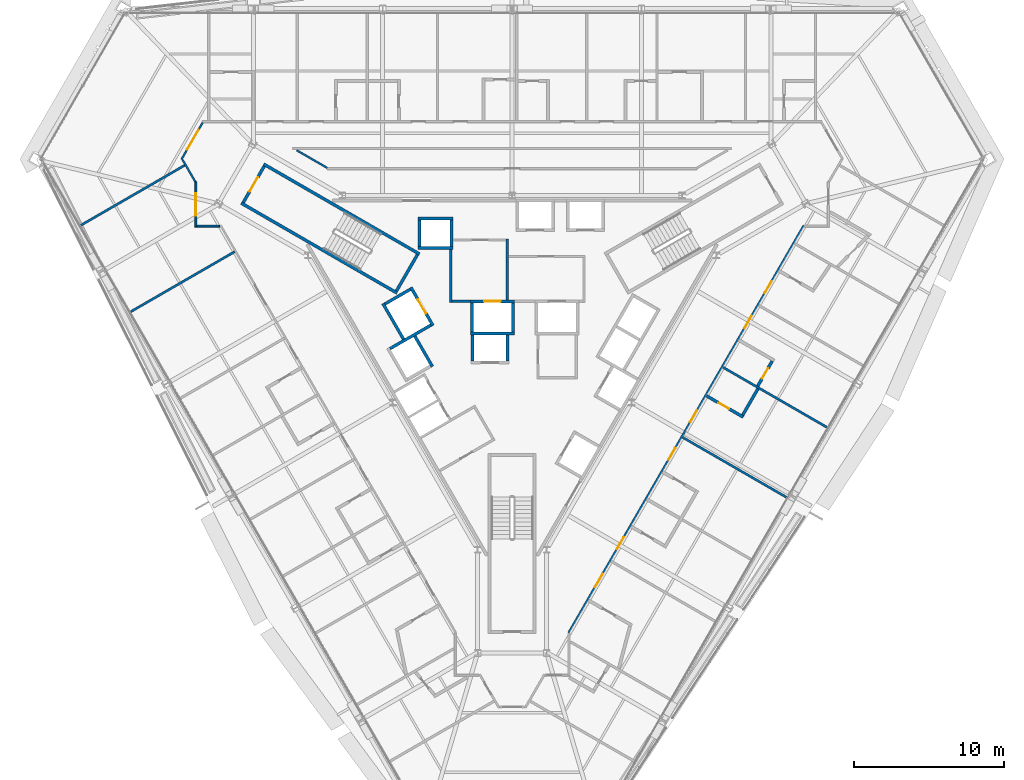
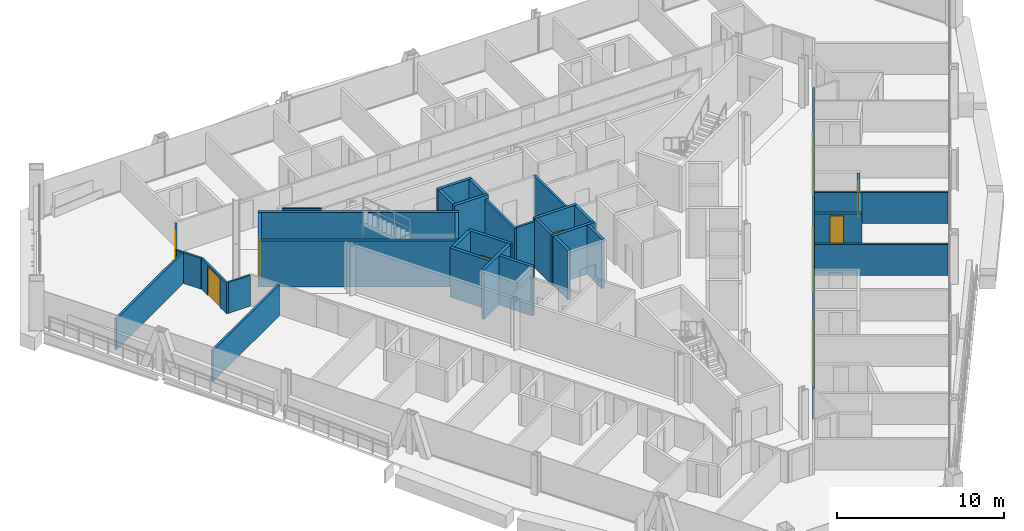
# One storey, part 13 of 18: 35 walls, 13 doors, 13 openings.
"""IFC4 building model written with IfcOpenShell, lengths in metres."""

import ifcopenshell
import ifcopenshell.guid

model = None  # the IFC model being written
_history = None  # IfcOwnerHistory: only IFC2X3 demands one
_inside = {}  # id of a spatial element -> (the spatial element, [elements in it])
_under = {}  # id of a project, library or spatial element -> (it, [spatial elements below it])
_declared = {}  # id of a project -> (the project, [libraries it declares])
_typed = {}  # id of a type object -> (the type object, [elements of that type])
_made_of = {}  # id of a material, layer set ... -> (it, [elements and type objects made of it])


def new_model(schema):
    """Start an empty IFC model of exactly this schema.

    Asked for "IFC4X3", IfcOpenShell would pick the latest addendum, in which some entities
    have other attributes; the version numbers below select the first issue.
    IFC2X3 requires an IfcOwnerHistory on every rooted entity: one is made here for all.
    """
    global model, _history
    if schema == "IFC4X3":
        model = ifcopenshell.file(schema_version=(4, 3, 0, 0))
    else:
        model = ifcopenshell.file(schema=schema)
    _inside.clear()
    _under.clear()
    _declared.clear()
    _typed.clear()
    _made_of.clear()
    _history = None
    if model.schema == "IFC2X3":
        org = make("IfcOrganization", Name="unknown")
        user = make(
            "IfcPersonAndOrganization",
            ThePerson=make("IfcPerson", FamilyName="unknown"),
            TheOrganization=org,
        )
        app = make(
            "IfcApplication",
            ApplicationDeveloper=org,
            Version="unknown",
            ApplicationFullName="unknown",
            ApplicationIdentifier="unknown",
        )
        _history = make(
            "IfcOwnerHistory",
            OwningUser=user,
            OwningApplication=app,
            ChangeAction="ADDED",
            CreationDate=0,
        )
    return model


def make(cls, **values):
    """One entity of the class cls with the attributes given. An attribute that is None is left unset."""
    return model.create_entity(
        cls, **{name: value for name, value in values.items() if value is not None}
    )


def rooted(cls, **values):
    """An entity with a GlobalId (a new one), such as an element, a storey or a relation."""
    return make(cls, GlobalId=ifcopenshell.guid.new(), OwnerHistory=_history, **values)


def si_unit(unit_type, name, prefix=None):
    """IfcSIUnit, for example si_unit("LENGTHUNIT", "METRE", prefix="MILLI")."""
    return make("IfcSIUnit", UnitType=unit_type, Prefix=prefix, Name=name)


def assignment(units):
    """IfcUnitAssignment: the units of a project."""
    return None if units is None else make("IfcUnitAssignment", Units=units)


def point(xyz):
    """IfcCartesianPoint."""
    return None if xyz is None else make("IfcCartesianPoint", Coordinates=xyz)


def direction(xyz):
    """IfcDirection."""
    return None if xyz is None else make("IfcDirection", DirectionRatios=xyz)


def frame(location, z_axis=None, x_axis=None):
    """IfcAxis2Placement3D, a coordinate frame: its origin and axes. An axis left out is left unset."""
    return make(
        "IfcAxis2Placement3D",
        Location=point(location),
        Axis=direction(z_axis),
        RefDirection=direction(x_axis),
    )


def frame_2d(location, x_axis=None):
    """IfcAxis2Placement2D, a coordinate frame in the plane: its origin and x axis."""
    return make(
        "IfcAxis2Placement2D", Location=point(location), RefDirection=direction(x_axis)
    )


def origin():
    """The frame at (0, 0, 0) with its axes left unset."""
    return frame((0.0, 0.0, 0.0))


def place(relative_to, where):
    """IfcLocalPlacement: puts the frame where relative to a parent placement (None: the world)."""
    return make(
        "IfcLocalPlacement", PlacementRelTo=relative_to, RelativePlacement=where
    )


def context(
    kind, dimensions, precision=None, world=None, true_north=None, identifier=None
):
    """IfcGeometricRepresentationContext, for example the 3D "Model" context."""
    return make(
        "IfcGeometricRepresentationContext",
        ContextIdentifier=identifier,
        ContextType=kind,
        CoordinateSpaceDimension=dimensions,
        Precision=precision,
        WorldCoordinateSystem=world,
        TrueNorth=true_north,
    )


def subcontext(parent, identifier, kind, view, scale=None):
    """IfcGeometricRepresentationSubContext, for example "Body" below "Model"."""
    return make(
        "IfcGeometricRepresentationSubContext",
        ContextIdentifier=identifier,
        ContextType=kind,
        ParentContext=parent,
        TargetScale=scale,
        TargetView=view,
    )


def project(units=None, contexts=None):
    """IfcProject with its units and contexts."""
    return rooted(
        "IfcProject",
        Name="project",
        RepresentationContexts=contexts,
        UnitsInContext=assignment(units),
    )


def spatial(cls, under=None, at=None, **own):
    """A site, building, storey or space (cls), placed at a placement, below another one or the project."""
    s = rooted(cls, ObjectPlacement=at, **own)
    if under is not None:
        _under.setdefault(under.id(), (under, []))[1].append(s)
    return s


def profile(cls, at=None, kind="AREA", **sizes):
    """A parametric profile (cls). Its sizes go by their IFC names, for example OverallWidth=200.0."""
    return make(cls, ProfileType=kind, Position=at, **sizes)


def rectangle(**sizes):
    """IfcRectangleProfileDef."""
    return profile("IfcRectangleProfileDef", **sizes)


def extrude(swept, where, along, depth):
    """IfcExtrudedAreaSolid: the profile swept, set in the frame where, extruded along a direction by depth."""
    return make(
        "IfcExtrudedAreaSolid",
        SweptArea=swept,
        Position=where,
        ExtrudedDirection=direction(along),
        Depth=depth,
    )


def shape(context_of_items, identifier, shape_type, items):
    """IfcShapeRepresentation: the items that make up one representation, for example the "Body"."""
    return make(
        "IfcShapeRepresentation",
        ContextOfItems=context_of_items,
        RepresentationIdentifier=identifier,
        RepresentationType=shape_type,
        Items=items,
    )


def material(Name=None, Category=None):
    """IfcMaterial."""
    return make("IfcMaterial", Name=Name, Category=Category)


def layer(
    of_material, thickness, ventilated=None, Name=None, Category=None, Priority=None
):
    """IfcMaterialLayer: one layer of a wall or slab, of a material (None: an air gap)."""
    return make(
        "IfcMaterialLayer",
        Material=of_material,
        LayerThickness=thickness,
        IsVentilated=ventilated,
        Name=Name,
        Category=Category,
        Priority=Priority,
    )


def layer_set(layers, Name=None):
    """IfcMaterialLayerSet."""
    return make("IfcMaterialLayerSet", MaterialLayers=layers, LayerSetName=Name)


def made_of(thing, what):
    """Note that an element or type object is made of a material, layer set ...; save() writes the relation."""
    if what is not None:
        _made_of.setdefault(what.id(), (what, []))[1].append(thing)
    return thing


def type_object(cls, material=None, **own):
    """A type object (cls), such as IfcWallType, which elements share."""
    return made_of(rooted(cls, **own), material)


def element(
    cls,
    number,
    at=None,
    inside=None,
    cuts=None,
    type_object=None,
    material=None,
    context=None,
    identifier="Body",
    shape_type=None,
    held_by="IfcProductDefinitionShape",
    body=None,
    shapes=None,
    **own,
):
    """One element of the class cls, such as IfcWall. Its Tag is "e" and its number.

    at: its placement. inside: the storey or other place that contains it. cuts: it is an
    opening in that element (IfcRelVoidsElement). A single representation is given by context,
    identifier, shape_type and body (its items); several are given by shapes. held_by: the class
    of the entity that holds the representations. save() writes the other relations.
    """
    e = rooted(cls, Tag="e%d" % number, ObjectPlacement=at, **own)
    if body is not None:
        shapes = [shape(context, identifier, shape_type, body)]
    if shapes is not None:
        e.Representation = make(held_by, Representations=shapes)
    if inside is not None:
        _inside.setdefault(inside.id(), (inside, []))[1].append(e)
    if cuts is not None:
        rooted(
            "IfcRelVoidsElement", RelatingBuildingElement=cuts, RelatedOpeningElement=e
        )
    if type_object is not None:
        _typed.setdefault(type_object.id(), (type_object, []))[1].append(e)
    return made_of(e, material)


def fill(opening, filler):
    """IfcRelFillsElement: the door or window that sits in an opening."""
    return rooted(
        "IfcRelFillsElement",
        RelatingOpeningElement=opening,
        RelatedBuildingElement=filler,
    )


def aggregate(whole, parts):
    """IfcRelAggregates: a whole, such as a stair, and the parts it consists of."""
    return rooted("IfcRelAggregates", RelatingObject=whole, RelatedObjects=parts)


def save(model, path):
    """Write the relations noted so far, then the file.

    IfcRelAggregates (storeys below a building ...), IfcRelContainedInSpatialStructure (elements
    in a storey), IfcRelDefinesByType, IfcRelAssociatesMaterial and IfcRelDeclares: one each for
    every whole, place, type object, material and project.
    """
    for whole, parts in _under.values():
        aggregate(whole, parts)
    for where, things in _inside.values():
        rooted(
            "IfcRelContainedInSpatialStructure",
            RelatedElements=things,
            RelatingStructure=where,
        )
    for kind, things in _typed.values():
        rooted("IfcRelDefinesByType", RelatedObjects=things, RelatingType=kind)
    for what, things in _made_of.values():
        rooted("IfcRelAssociatesMaterial", RelatedObjects=things, RelatingMaterial=what)
    for by, libraries in _declared.values():
        rooted("IfcRelDeclares", RelatingContext=by, RelatedDefinitions=libraries)
    model.write(path)


model = new_model("IFC4")

# Units and contexts
model_context = context("Model", 3, precision=1e-05, world=origin(), true_north=direction((0.0, 1.0)))
body_context = subcontext(model_context, "Body", "Model", "MODEL_VIEW")
ifc_project = project(units=[si_unit("LENGTHUNIT", "METRE"), si_unit("AREAUNIT", "SQUARE_METRE"), si_unit("VOLUMEUNIT", "CUBIC_METRE"), si_unit("PLANEANGLEUNIT", "RADIAN"), si_unit("MASSUNIT", "GRAM", prefix="KILO")], contexts=[model_context])

# Site, building, storey
site_placement = place(None, origin())
site = spatial("IfcSite", under=ifc_project, at=site_placement, CompositionType="ELEMENT")
building_placement = place(site_placement, origin())
building = spatial("IfcBuilding", under=site, at=building_placement, Name="Verrane Prism Tower", CompositionType="ELEMENT")
storey_placement = place(building_placement, frame((0.0, 0.0, 83.60009765625)))
storey = spatial("IfcBuildingStorey", under=building, at=storey_placement, Name="L19", CompositionType="ELEMENT", Elevation=83.60009765625)

# Wall, opening, door
ifc_material_1 = material(Name="Concrete C40/50", Category="concrete")
ifc_layer_1 = layer(ifc_material_1, 0.199951171875)
ifc_layer_set_1 = layer_set([ifc_layer_1], Name="CW-200 stair core wall concrete C40/50 3 h")
wall_type_1 = type_object("IfcWallType", Name="CW-200 stair core wall concrete C40/50 3 h", PredefinedType="PARTITIONING", material=ifc_layer_set_1)
wall_1_placement = place(storey_placement, frame((-16.533935546875, 11.162353515625, 0.0), z_axis=(0.0, 0.0, 1.0), x_axis=(-0.49998411664, -0.866034573852, 0.0)))
wall_1 = element("IfcWall", 1, at=wall_1_placement, inside=storey, type_object=wall_type_1, Name="Stair 2 enclosure wall", PredefinedType="PARTITIONING", context=body_context, shape_type="SweptSolid", body=[
    extrude(rectangle(XDim=2.7998046875, YDim=0.199951171875, at=frame_2d((1.39990234375, 0.0))), origin(), (0.0, 0.0, 1.0), 3.349853515625),
])
opening_1_placement = place(wall_1_placement, frame((0.849853515625, 0.0, 0.0)))
opening_1 = element("IfcOpeningElement", 2, at=opening_1_placement, cuts=wall_1, Name="Opening D17501", PredefinedType="OPENING", context=body_context, shape_type="SweptSolid", body=[
    extrude(rectangle(XDim=1.10009765625, YDim=2.10009765625, at=frame_2d((0.550048828125, 1.050048828125))), frame((0.0, 0.10986328125, 0.0), z_axis=(0.0, -1.0, 0.0), x_axis=(1.0, 0.0, 0.0)), (0.0, 0.0, 1.0), 0.219970703125),
])
ifc_material_2 = material(Name="Timber veneered door leaf", Category="wood")
door_type_1 = type_object("IfcDoorType", Name="DR-1100x2100 FD90 single leaf stair", OperationType="NOTDEFINED", PredefinedType="DOOR", material=ifc_material_2)
door_1_placement = place(opening_1_placement, origin())
door_1 = element("IfcDoor", 3, at=door_1_placement, inside=storey, type_object=door_type_1, Name="Stair 2 door", OperationType="SINGLE_SWING_RIGHT", OverallHeight=2.10009765625, OverallWidth=1.10009765625, PredefinedType="DOOR", context=body_context, shape_type="SweptSolid", body=[
    extrude(rectangle(XDim=1.10009765625, YDim=2.10009765625, at=frame_2d((0.550048828125, 1.050048828125))), frame((0.0, 0.02490234375, 0.0), z_axis=(0.0, -1.0, 0.0), x_axis=(1.0, 0.0, 0.0)), (0.0, 0.0, 1.0), 0.050048828125),
])
fill(opening_1, door_1)

# Walls
for number, where, z_axis, x_axis, name in (
    (4, (-7.67822265625, 2.700927734375, 0.0), (0.0, 0.0, 1.0), (-0.866026010844, 0.49999894854, 0.0), "Stair 2 enclosure wall"),
    (5, (-6.17822265625, 5.299072265625, 0.0), (0.0, 0.0, 1.0), (-0.866026010844, 0.49999894854, 0.0), "Stair 2 enclosure wall"),
):
    element("IfcWall", number, at=place(storey_placement, frame(where, z_axis=z_axis, x_axis=x_axis)), inside=storey, type_object=wall_type_1, Name=name, PredefinedType="PARTITIONING", context=body_context, shape_type="SweptSolid", body=[
        extrude(rectangle(XDim=12.0, YDim=0.199951171875, at=frame_2d((6.0, 0.0))), origin(), (0.0, 0.0, 1.0), 3.349853515625),
    ])
wall_2_placement = place(storey_placement, frame((-6.314697265625, 5.262451171875, 0.0), z_axis=(0.0, 0.0, 1.0), x_axis=(-0.500049511043, -0.865996816683, 0.0)))
element("IfcWall", 6, at=wall_2_placement, inside=storey, type_object=wall_type_1, Name="Stair 2 enclosure wall", PredefinedType="PARTITIONING", context=body_context, shape_type="SweptSolid", body=[
    extrude(rectangle(XDim=2.800048828125, YDim=0.199951171875, at=frame_2d((1.39990234375, 0.0))), origin(), (0.0, 0.0, 1.0), 3.349853515625),
])
ifc_material_3 = material(Name="Gypsum board shaft wall assembly", Category="other")
ifc_layer_2 = layer(ifc_material_3, 0.199951171875)
ifc_layer_set_2 = layer_set([ifc_layer_2], Name="HW-200 lift shaft wall 2 h")
wall_type_2 = type_object("IfcWallType", Name="HW-200 lift shaft wall 2 h", PredefinedType="PARTITIONING", material=ifc_layer_set_2)
wall_3_placement = place(storey_placement, frame((-2.784912109375, 0.0, 0.0), z_axis=(0.0, 0.0, 1.0), x_axis=(1.0, 0.0, 0.0)))
element("IfcWall", 7, at=wall_3_placement, inside=storey, type_object=wall_type_2, Name="Lift shaft wall", PredefinedType="PARTITIONING", context=body_context, shape_type="SweptSolid", body=[
    extrude(rectangle(XDim=2.949951171875, YDim=0.199951171875, at=frame_2d((1.47509765625, 0.0))), origin(), (0.0, 0.0, 1.0), 3.599853515625),
])

# Wall, opening, door
wall_4_placement = place(storey_placement, frame((-2.784912109375, 2.14990234375, 0.0), z_axis=(0.0, 0.0, 1.0), x_axis=(1.0, 0.0, 0.0)))
wall_4 = element("IfcWall", 8, at=wall_4_placement, inside=storey, type_object=wall_type_2, Name="Lift shaft wall", PredefinedType="PARTITIONING", context=body_context, shape_type="SweptSolid", body=[
    extrude(rectangle(XDim=2.949951171875, YDim=0.199951171875, at=frame_2d((1.47509765625, 0.0))), origin(), (0.0, 0.0, 1.0), 3.599853515625),
])
opening_2_placement = place(wall_4_placement, frame((0.925048828125, 0.0, 0.0)))
opening_2 = element("IfcOpeningElement", 9, at=opening_2_placement, cuts=wall_4, Name="Opening D17508", PredefinedType="OPENING", context=body_context, shape_type="SweptSolid", body=[
    extrude(rectangle(XDim=1.10009765625, YDim=2.10009765625, at=frame_2d((0.550048828125, 1.050048828125))), frame((0.0, 0.10986328125, 0.0), z_axis=(0.0, -1.0, 0.0), x_axis=(1.0, 0.0, 0.0)), (0.0, 0.0, 1.0), 0.219970703125),
])
ifc_material_4 = material(Name="Stainless steel sliding landing door", Category="steel")
door_type_2 = type_object("IfcDoorType", Name="LD-1100x2100 lift landing door FD90 sliding", OperationType="NOTDEFINED", PredefinedType="DOOR", material=ifc_material_4)
door_2_placement = place(opening_2_placement, origin())
door_2 = element("IfcDoor", 10, at=door_2_placement, inside=storey, type_object=door_type_2, Name="Fire service lift 1 landing door", OperationType="SLIDING_TO_LEFT", OverallHeight=2.10009765625, OverallWidth=1.10009765625, PredefinedType="DOOR", context=body_context, shape_type="SweptSolid", body=[
    extrude(rectangle(XDim=1.10009765625, YDim=2.10009765625, at=frame_2d((0.550048828125, 1.050048828125))), frame((0.0, 0.02490234375, 0.0), z_axis=(0.0, -1.0, 0.0), x_axis=(1.0, 0.0, 0.0)), (0.0, 0.0, 1.0), 0.050048828125),
])
fill(opening_2, door_2)

# Walls
for number, where, z_axis, x_axis, name in (
    (11, (-6.284912109375, 5.7099609375, 0.0), (0.0, 0.0, 1.0), (1.0, 0.0, 0.0), "Lift shaft wall"),
    (12, (-6.284912109375, 7.659912109375, 0.0), (0.0, 0.0, 1.0), (1.0, 0.0, 0.0), "Lift shaft wall"),
):
    element("IfcWall", number, at=place(storey_placement, frame(where, z_axis=z_axis, x_axis=x_axis)), inside=storey, type_object=wall_type_2, Name=name, PredefinedType="PARTITIONING", context=body_context, shape_type="SweptSolid", body=[
        extrude(rectangle(XDim=2.349853515625, YDim=0.199951171875, at=frame_2d((1.1748046875, 0.0))), origin(), (0.0, 0.0, 1.0), 3.599853515625),
    ])
wall_5_placement = place(storey_placement, frame((-8.14453125, -1.012939453125, 0.0), z_axis=(0.0, 0.0, 1.0), x_axis=(0.866016494683, 0.500015430699, 0.0)))
element("IfcWall", 13, at=wall_5_placement, inside=storey, type_object=wall_type_2, Name="Lift shaft wall", PredefinedType="PARTITIONING", context=body_context, shape_type="SweptSolid", body=[
    extrude(rectangle(XDim=3.14990234375, YDim=0.199951171875, at=frame_2d((1.574951171875, 0.0))), origin(), (0.0, 0.0, 1.0), 3.599853515625),
])
for number, where, z_axis, x_axis, name in (
    (14, (-8.48046875, 1.968505859375, 0.0), (0.0, 0.0, 1.0), (0.866000020948, 0.500043961785, 0.0), "Lift shaft wall"),
    (15, (0.06494140625, 0.10009765625, 0.0), (0.0, 0.0, 1.0), (0.0, 1.0, 0.0), "Lift shaft wall"),
):
    element("IfcWall", number, at=place(storey_placement, frame(where, z_axis=z_axis, x_axis=x_axis)), inside=storey, type_object=wall_type_2, Name=name, PredefinedType="PARTITIONING", context=body_context, shape_type="SweptSolid", body=[
        extrude(rectangle(XDim=1.949951171875, YDim=0.199951171875, at=frame_2d((0.97509765625, 0.0))), origin(), (0.0, 0.0, 1.0), 3.599853515625),
    ])
for number, where, z_axis, x_axis, name in (
    (16, (-0.304931640625, -1.85009765625, 0.0), (0.0, 0.0, 1.0), (0.0, 1.0, 0.0), "Lift shaft wall"),
    (17, (-2.655029296875, -1.85009765625, 0.0), (0.0, 0.0, 1.0), (0.0, 1.0, 0.0), "Lift shaft wall"),
):
    element("IfcWall", number, at=place(storey_placement, frame(where, z_axis=z_axis, x_axis=x_axis)), inside=storey, type_object=wall_type_2, Name=name, PredefinedType="PARTITIONING", context=body_context, shape_type="SweptSolid", body=[
        extrude(rectangle(XDim=1.75, YDim=0.199951171875, at=frame_2d((0.875, 0.0))), origin(), (0.0, 0.0, 1.0), 3.599853515625),
    ])
wall_6_placement = place(storey_placement, frame((-2.68505859375, 0.10009765625, 0.0), z_axis=(0.0, 0.0, 1.0), x_axis=(0.0, 1.0, 0.0)))
element("IfcWall", 18, at=wall_6_placement, inside=storey, type_object=wall_type_2, Name="Lift shaft wall", PredefinedType="PARTITIONING", context=body_context, shape_type="SweptSolid", body=[
    extrude(rectangle(XDim=1.949951171875, YDim=0.199951171875, at=frame_2d((0.97509765625, 0.0))), origin(), (0.0, 0.0, 1.0), 3.599853515625),
])
for number, where, z_axis, x_axis, name in (
    (19, (-4.034912109375, 5.81005859375, 0.0), (0.0, 0.0, 1.0), (0.0, 1.0, 0.0), "Lift shaft wall"),
    (20, (-6.18505859375, 5.81005859375, 0.0), (0.0, 0.0, 1.0), (0.0, 1.0, 0.0), "Lift shaft wall"),
):
    element("IfcWall", number, at=place(storey_placement, frame(where, z_axis=z_axis, x_axis=x_axis)), inside=storey, type_object=wall_type_2, Name=name, PredefinedType="PARTITIONING", context=body_context, shape_type="SweptSolid", body=[
        extrude(rectangle(XDim=1.75, YDim=0.199951171875, at=frame_2d((0.875, 0.0))), origin(), (0.0, 0.0, 1.0), 3.599853515625),
    ])

# Wall, opening, door
wall_7_placement = place(storey_placement, frame((-5.280029296875, 0.525390625, 0.0), z_axis=(0.0, 0.0, 1.0), x_axis=(-0.500037662692, 0.866003658127, 0.0)))
wall_7 = element("IfcWall", 21, at=wall_7_placement, inside=storey, type_object=wall_type_2, Name="Lift shaft wall", PredefinedType="PARTITIONING", context=body_context, shape_type="SweptSolid", body=[
    extrude(rectangle(XDim=2.949951171875, YDim=0.199951171875, at=frame_2d((1.47509765625, 0.0))), origin(), (0.0, 0.0, 1.0), 3.599853515625),
])
opening_3_placement = place(wall_7_placement, frame((0.925048828125, 0.0, 0.0)))
opening_3 = element("IfcOpeningElement", 22, at=opening_3_placement, cuts=wall_7, Name="Opening D17510", PredefinedType="OPENING", context=body_context, shape_type="SweptSolid", body=[
    extrude(rectangle(XDim=1.10009765625, YDim=2.10009765625, at=frame_2d((0.550048828125, 1.050048828125))), frame((0.0, 0.10986328125, 0.0), z_axis=(0.0, -1.0, 0.0), x_axis=(1.0, 0.0, 0.0)), (0.0, 0.0, 1.0), 0.219970703125),
])
door_3_placement = place(opening_3_placement, origin())
door_3 = element("IfcDoor", 23, at=door_3_placement, inside=storey, type_object=door_type_2, Name="Service lift 1 landing door", OperationType="SLIDING_TO_LEFT", OverallHeight=2.10009765625, OverallWidth=1.10009765625, PredefinedType="DOOR", context=body_context, shape_type="SweptSolid", body=[
    extrude(rectangle(XDim=1.10009765625, YDim=2.10009765625, at=frame_2d((0.550048828125, 1.050048828125))), frame((0.0, 0.02490234375, 0.0), z_axis=(0.0, -1.0, 0.0), x_axis=(1.0, 0.0, 0.0)), (0.0, 0.0, 1.0), 0.050048828125),
])
fill(opening_3, door_3)

# Walls
wall_8_placement = place(storey_placement, frame((-5.317626953125, -2.209716796875, 0.0), z_axis=(0.0, 0.0, 1.0), x_axis=(-0.499938297808, 0.866061024631, 0.0)))
element("IfcWall", 24, at=wall_8_placement, inside=storey, type_object=wall_type_2, Name="Lift shaft wall", PredefinedType="PARTITIONING", context=body_context, shape_type="SweptSolid", body=[
    extrude(rectangle(XDim=2.349853515625, YDim=0.199951171875, at=frame_2d((1.1748046875, 0.0))), origin(), (0.0, 0.0, 1.0), 3.599853515625),
])
wall_9_placement = place(storey_placement, frame((-7.241943359375, -0.37646484375, 0.0), z_axis=(0.0, 0.0, 1.0), x_axis=(-0.499996545922, 0.866027397988, 0.0)))
element("IfcWall", 25, at=wall_9_placement, inside=storey, type_object=wall_type_2, Name="Lift shaft wall", PredefinedType="PARTITIONING", context=body_context, shape_type="SweptSolid", body=[
    extrude(rectangle(XDim=2.75, YDim=0.199951171875, at=frame_2d((1.375, 0.0))), origin(), (0.0, 0.0, 1.0), 3.599853515625),
])
ifc_material_5 = material(Name="Gypsum board partition", Category="other")
ifc_layer_3 = layer(ifc_material_5, 0.14990234375)
ifc_layer_set_3 = layer_set([ifc_layer_3], Name="LF-150 firefighting lobby wall 1 h")
wall_type_3 = type_object("IfcWallType", Name="LF-150 firefighting lobby wall 1 h", PredefinedType="PARTITIONING", material=ifc_layer_set_3)
wall_10_placement = place(storey_placement, frame((-4.10009765625, 2.0849609375, 0.0), z_axis=(0.0, 0.0, 1.0), x_axis=(0.0, 1.0, 0.0)))
element("IfcWall", 26, at=wall_10_placement, inside=storey, type_object=wall_type_3, Name="Firefighting lobby wall LF1-001", PredefinedType="PARTITIONING", context=body_context, shape_type="SweptSolid", body=[
    extrude(rectangle(XDim=3.52294921875, YDim=0.14990234375, at=frame_2d((1.761474609375, 0.0))), origin(), (0.0, 0.0, 1.0), 3.349853515625),
])
wall_11_placement = place(storey_placement, frame((-4.02490234375, 2.159912109375, 0.0), z_axis=(0.0, 0.0, 1.0), x_axis=(1.0, 0.0, 0.0)))
element("IfcWall", 27, at=wall_11_placement, inside=storey, type_object=wall_type_3, Name="Firefighting lobby wall LF1-002", PredefinedType="PARTITIONING", context=body_context, shape_type="SweptSolid", body=[
    extrude(rectangle(XDim=1.23779296875, YDim=0.14990234375, at=frame_2d((0.618896484375, 0.0))), origin(), (0.0, 0.0, 1.0), 3.349853515625),
])
wall_12_placement = place(storey_placement, frame((-0.320068359375, 2.251953125, 0.0), z_axis=(0.0, 0.0, 1.0), x_axis=(0.0, 1.0, 0.0)))
element("IfcWall", 28, at=wall_12_placement, inside=storey, type_object=wall_type_3, Name="Firefighting lobby wall LF1-004", PredefinedType="PARTITIONING", context=body_context, shape_type="SweptSolid", body=[
    extrude(rectangle(XDim=4.06298828125, YDim=0.14990234375, at=frame_2d((2.031494140625, 0.0))), origin(), (0.0, 0.0, 1.0), 3.349853515625),
])
ifc_material_6 = material(Name="Gypsum board partition", Category="other")
ifc_layer_4 = layer(ifc_material_6, 0.125)
ifc_layer_set_4 = layer_set([ifc_layer_4], Name="PW-125 corridor wall 1 h")
wall_type_4 = type_object("IfcWallType", Name="PW-125 corridor wall 1 h", PredefinedType="PARTITIONING", material=ifc_layer_set_4)
wall_13_placement = place(storey_placement, frame((-21.982421875, 11.593505859375, 0.0), z_axis=(0.0, 0.0, 1.0), x_axis=(0.500048373822, -0.865997473344, 0.0)))
element("IfcWall", 29, at=wall_13_placement, inside=storey, type_object=wall_type_4, Name="Corridor wall 004", PredefinedType="PARTITIONING", context=body_context, shape_type="SweptSolid", body=[
    extrude(rectangle(XDim=1.685791015625, YDim=0.125, at=frame_2d((0.8427734375, 0.0))), origin(), (0.0, 0.0, 1.0), 2.261962890625),
])

# Wall, opening, door
wall_14_placement = place(storey_placement, frame((-22.05615234375, 11.61279296875, 0.0), z_axis=(0.0, 0.0, 1.0), x_axis=(0.499647745683, 0.866228682412, 0.0)))
wall_14 = element("IfcWall", 30, at=wall_14_placement, inside=storey, type_object=wall_type_4, Name="Corridor wall 005", PredefinedType="PARTITIONING", context=body_context, shape_type="SweptSolid", body=[
    extrude(rectangle(XDim=2.8291015625, YDim=0.125, at=frame_2d((1.41455078125, 0.0))), origin(), (0.0, 0.0, 1.0), 2.261962890625),
])
opening_4_placement = place(wall_14_placement, frame((0.762451171875, 0.0, 0.0)))
opening_4 = element("IfcOpeningElement", 31, at=opening_4_placement, cuts=wall_14, Name="Opening D17034", PredefinedType="OPENING", context=body_context, shape_type="SweptSolid", body=[
    extrude(rectangle(XDim=1.5, YDim=2.10009765625, at=frame_2d((0.75, 1.050048828125))), frame((0.0, 0.072509765625, 0.0), z_axis=(0.0, -1.0, 0.0), x_axis=(1.0, 0.0, 0.0)), (0.0, 0.0, 1.0), 0.14501953125),
])
ifc_material_7 = material(Name="Timber veneered door leaf", Category="wood")
door_type_3 = type_object("IfcDoorType", Name="DR-1500x2100 FD20 double leaf public", OperationType="NOTDEFINED", PredefinedType="DOOR", material=ifc_material_7)
door_4_placement = place(opening_4_placement, origin())
door_4 = element("IfcDoor", 32, at=door_4_placement, inside=storey, type_object=door_type_3, Name="Library Lounge door", OperationType="DOUBLE_DOOR_SINGLE_SWING", OverallHeight=2.10009765625, OverallWidth=1.5, PredefinedType="DOOR", context=body_context, shape_type="SweptSolid", body=[
    extrude(rectangle(XDim=1.5, YDim=2.10009765625, at=frame_2d((0.75, 1.050048828125))), frame((0.0, 0.02490234375, 0.0), z_axis=(0.0, -1.0, 0.0), x_axis=(1.0, 0.0, 0.0)), (0.0, 0.0, 1.0), 0.050048828125),
])
fill(opening_4, door_4)

wall_15_placement = place(storey_placement, frame((-21.096923828125, 7.1005859375, 0.0), z_axis=(0.0, 0.0, 1.0), x_axis=(0.0, 1.0, 0.0)))
wall_15 = element("IfcWall", 33, at=wall_15_placement, inside=storey, type_object=wall_type_4, Name="Corridor wall 006", PredefinedType="PARTITIONING", context=body_context, shape_type="SweptSolid", body=[
    extrude(rectangle(XDim=3.02197265625, YDim=0.125, at=frame_2d((1.510986328125, 0.0))), origin(), (0.0, 0.0, 1.0), 2.261962890625),
])
opening_5_placement = place(wall_15_placement, frame((0.762451171875, 0.0, 0.0)))
opening_5 = element("IfcOpeningElement", 34, at=opening_5_placement, cuts=wall_15, Name="Opening D17035", PredefinedType="OPENING", context=body_context, shape_type="SweptSolid", body=[
    extrude(rectangle(XDim=1.5, YDim=2.10009765625, at=frame_2d((0.75, 1.050048828125))), frame((0.0, 0.072509765625, 0.0), z_axis=(0.0, -1.0, 0.0), x_axis=(1.0, 0.0, 0.0)), (0.0, 0.0, 1.0), 0.14501953125),
])
door_5_placement = place(opening_5_placement, origin())
door_5 = element("IfcDoor", 35, at=door_5_placement, inside=storey, type_object=door_type_3, Name="Meeting Room door", OperationType="DOUBLE_DOOR_SINGLE_SWING", OverallHeight=2.10009765625, OverallWidth=1.5, PredefinedType="DOOR", context=body_context, shape_type="SweptSolid", body=[
    extrude(rectangle(XDim=1.5, YDim=2.10009765625, at=frame_2d((0.75, 1.050048828125))), frame((0.0, 0.02490234375, 0.0), z_axis=(0.0, -1.0, 0.0), x_axis=(1.0, 0.0, 0.0)), (0.0, 0.0, 1.0), 0.050048828125),
])
fill(opening_5, door_5)

# Walls
wall_16_placement = place(storey_placement, frame((-21.031982421875, 7.1630859375, 0.0), z_axis=(0.0, 0.0, 1.0), x_axis=(1.0, 0.0, 0.0)))
element("IfcWall", 36, at=wall_16_placement, inside=storey, type_object=wall_type_4, Name="Corridor wall 007", PredefinedType="PARTITIONING", context=body_context, shape_type="SweptSolid", body=[
    extrude(rectangle(XDim=1.52197265625, YDim=0.125, at=frame_2d((0.760986328125, 0.0))), origin(), (0.0, 0.0, 1.0), 2.261962890625),
])
wall_17_placement = place(storey_placement, frame((-14.369873046875, 12.221923828125, 0.0), z_axis=(0.0, 0.0, 1.0), x_axis=(0.866063239147, -0.499934461503, 0.0)))
element("IfcWall", 37, at=wall_17_placement, inside=storey, type_object=wall_type_4, Name="Corridor wall 019", PredefinedType="PARTITIONING", context=body_context, shape_type="SweptSolid", body=[
    extrude(rectangle(XDim=2.359130859375, YDim=0.125, at=frame_2d((1.1796875, 0.0))), origin(), (0.0, 0.0, 1.0), 2.261962890625),
])

# Wall, openings, doors
wall_18_placement = place(storey_placement, frame((19.456298828125, 7.217041015625, 0.0), z_axis=(0.0, 0.0, 1.0), x_axis=(-0.50002170027, -0.866012874765, 0.0)))
wall_18 = element("IfcWall", 38, at=wall_18_placement, inside=storey, type_object=wall_type_4, Name="Corridor wall 056", PredefinedType="PARTITIONING", context=body_context, shape_type="SweptSolid", body=[
    extrude(rectangle(XDim=31.37939453125, YDim=0.125, at=frame_2d((15.689697265625, 0.0))), origin(), (0.0, 0.0, 1.0), 2.261962890625),
])
opening_6_placement = place(wall_18_placement, frame((26.84326171875, 0.0, 0.0)))
opening_6 = element("IfcOpeningElement", 39, at=opening_6_placement, cuts=wall_18, Name="Opening D17003", PredefinedType="OPENING", context=body_context, shape_type="SweptSolid", body=[
    extrude(rectangle(XDim=1.0, YDim=2.10009765625, at=frame_2d((0.5, 1.050048828125))), frame((0.0, 0.072509765625, 0.0), z_axis=(0.0, -1.0, 0.0), x_axis=(1.0, 0.0, 0.0)), (0.0, 0.0, 1.0), 0.14501953125),
])
opening_7_placement = place(wall_18_placement, frame((24.0302734375, 0.0, 0.0)))
opening_7 = element("IfcOpeningElement", 40, at=opening_7_placement, cuts=wall_18, Name="Opening D17005", PredefinedType="OPENING", context=body_context, shape_type="SweptSolid", body=[
    extrude(rectangle(XDim=0.89990234375, YDim=2.10009765625, at=frame_2d((0.449951171875, 1.050048828125))), frame((0.0, 0.072509765625, 0.0), z_axis=(0.0, -1.0, 0.0), x_axis=(1.0, 0.0, 0.0)), (0.0, 0.0, 1.0), 0.14501953125),
])
opening_8_placement = place(wall_18_placement, frame((17.1591796875, 0.0, 0.0)))
opening_8 = element("IfcOpeningElement", 41, at=opening_8_placement, cuts=wall_18, Name="Opening D17007", PredefinedType="OPENING", context=body_context, shape_type="SweptSolid", body=[
    extrude(rectangle(XDim=0.89990234375, YDim=2.10009765625, at=frame_2d((0.449951171875, 1.050048828125))), frame((0.0, 0.072509765625, 0.0), z_axis=(0.0, -1.0, 0.0), x_axis=(1.0, 0.0, 0.0)), (0.0, 0.0, 1.0), 0.14501953125),
])
opening_9_placement = place(wall_18_placement, frame((14.240234375, 0.0, 0.0)))
opening_9 = element("IfcOpeningElement", 42, at=opening_9_placement, cuts=wall_18, Name="Opening D17009", PredefinedType="OPENING", context=body_context, shape_type="SweptSolid", body=[
    extrude(rectangle(XDim=0.89990234375, YDim=2.10009765625, at=frame_2d((0.449951171875, 1.050048828125))), frame((0.0, 0.072509765625, 0.0), z_axis=(0.0, -1.0, 0.0), x_axis=(1.0, 0.0, 0.0)), (0.0, 0.0, 1.0), 0.14501953125),
])
opening_10_placement = place(wall_18_placement, frame((6.997314453125, 0.0, 0.0)))
opening_10 = element("IfcOpeningElement", 43, at=opening_10_placement, cuts=wall_18, Name="Opening D17011", PredefinedType="OPENING", context=body_context, shape_type="SweptSolid", body=[
    extrude(rectangle(XDim=0.89990234375, YDim=2.10009765625, at=frame_2d((0.449951171875, 1.050048828125))), frame((0.0, 0.072509765625, 0.0), z_axis=(0.0, -1.0, 0.0), x_axis=(1.0, 0.0, 0.0)), (0.0, 0.0, 1.0), 0.14501953125),
])
opening_11_placement = place(wall_18_placement, frame((4.3271484375, 0.0, 0.0)))
opening_11 = element("IfcOpeningElement", 44, at=opening_11_placement, cuts=wall_18, Name="Opening D17013", PredefinedType="OPENING", context=body_context, shape_type="SweptSolid", body=[
    extrude(rectangle(XDim=0.89990234375, YDim=2.10009765625, at=frame_2d((0.449951171875, 1.050048828125))), frame((0.0, 0.072509765625, 0.0), z_axis=(0.0, -1.0, 0.0), x_axis=(1.0, 0.0, 0.0)), (0.0, 0.0, 1.0), 0.14501953125),
])
ifc_material_8 = material(Name="Timber veneered door leaf", Category="wood")
door_type_4 = type_object("IfcDoorType", Name="DR-1000x2100 FD20 single leaf unit", OperationType="NOTDEFINED", PredefinedType="DOOR", material=ifc_material_8)
door_6_placement = place(opening_6_placement, origin())
door_6 = element("IfcDoor", 45, at=door_6_placement, inside=storey, type_object=door_type_4, Name="Accessible Guest Room door", OperationType="SINGLE_SWING_LEFT", OverallHeight=2.10009765625, OverallWidth=1.0, PredefinedType="DOOR", context=body_context, shape_type="SweptSolid", body=[
    extrude(rectangle(XDim=1.0, YDim=2.10009765625, at=frame_2d((0.5, 1.050048828125))), frame((0.0, 0.02490234375, 0.0), z_axis=(0.0, -1.0, 0.0), x_axis=(1.0, 0.0, 0.0)), (0.0, 0.0, 1.0), 0.050048828125),
])
fill(opening_6, door_6)
ifc_material_9 = material(Name="Timber veneered door leaf", Category="wood")
door_type_5 = type_object("IfcDoorType", Name="DR-900x2100 FD20 single leaf unit", OperationType="NOTDEFINED", PredefinedType="DOOR", material=ifc_material_9)
door_7_placement = place(opening_7_placement, origin())
door_7 = element("IfcDoor", 46, at=door_7_placement, inside=storey, type_object=door_type_5, Name="Guest Room door", OperationType="SINGLE_SWING_LEFT", OverallHeight=2.10009765625, OverallWidth=0.89990234375, PredefinedType="DOOR", context=body_context, shape_type="SweptSolid", body=[
    extrude(rectangle(XDim=0.89990234375, YDim=2.10009765625, at=frame_2d((0.449951171875, 1.050048828125))), frame((0.0, 0.02490234375, 0.0), z_axis=(0.0, -1.0, 0.0), x_axis=(1.0, 0.0, 0.0)), (0.0, 0.0, 1.0), 0.050048828125),
])
fill(opening_7, door_7)
door_8_placement = place(opening_8_placement, origin())
door_8 = element("IfcDoor", 47, at=door_8_placement, inside=storey, type_object=door_type_5, Name="Guest Room door", OperationType="SINGLE_SWING_LEFT", OverallHeight=2.10009765625, OverallWidth=0.89990234375, PredefinedType="DOOR", context=body_context, shape_type="SweptSolid", body=[
    extrude(rectangle(XDim=0.89990234375, YDim=2.10009765625, at=frame_2d((0.449951171875, 1.050048828125))), frame((0.0, 0.02490234375, 0.0), z_axis=(0.0, -1.0, 0.0), x_axis=(1.0, 0.0, 0.0)), (0.0, 0.0, 1.0), 0.050048828125),
])
fill(opening_8, door_8)
door_9_placement = place(opening_9_placement, origin())
door_9 = element("IfcDoor", 48, at=door_9_placement, inside=storey, type_object=door_type_5, Name="Guest Room door", OperationType="SINGLE_SWING_LEFT", OverallHeight=2.10009765625, OverallWidth=0.89990234375, PredefinedType="DOOR", context=body_context, shape_type="SweptSolid", body=[
    extrude(rectangle(XDim=0.89990234375, YDim=2.10009765625, at=frame_2d((0.449951171875, 1.050048828125))), frame((0.0, 0.02490234375, 0.0), z_axis=(0.0, -1.0, 0.0), x_axis=(1.0, 0.0, 0.0)), (0.0, 0.0, 1.0), 0.050048828125),
])
fill(opening_9, door_9)
door_10_placement = place(opening_10_placement, origin())
door_10 = element("IfcDoor", 49, at=door_10_placement, inside=storey, type_object=door_type_5, Name="Guest Room door", OperationType="SINGLE_SWING_RIGHT", OverallHeight=2.10009765625, OverallWidth=0.89990234375, PredefinedType="DOOR", context=body_context, shape_type="SweptSolid", body=[
    extrude(rectangle(XDim=0.89990234375, YDim=2.10009765625, at=frame_2d((0.449951171875, 1.050048828125))), frame((0.0, 0.02490234375, 0.0), z_axis=(0.0, -1.0, 0.0), x_axis=(1.0, 0.0, 0.0)), (0.0, 0.0, 1.0), 0.050048828125),
])
fill(opening_10, door_10)
door_11_placement = place(opening_11_placement, origin())
door_11 = element("IfcDoor", 50, at=door_11_placement, inside=storey, type_object=door_type_5, Name="Guest Room door", OperationType="SINGLE_SWING_RIGHT", OverallHeight=2.10009765625, OverallWidth=0.89990234375, PredefinedType="DOOR", context=body_context, shape_type="SweptSolid", body=[
    extrude(rectangle(XDim=0.89990234375, YDim=2.10009765625, at=frame_2d((0.449951171875, 1.050048828125))), frame((0.0, 0.02490234375, 0.0), z_axis=(0.0, -1.0, 0.0), x_axis=(1.0, 0.0, 0.0)), (0.0, 0.0, 1.0), 0.050048828125),
])
fill(opening_11, door_11)

# Walls
ifc_material_10 = material(Name="Gypsum board partition", Category="other")
ifc_layer_5 = layer(ifc_material_10, 0.14990234375)
ifc_layer_set_5 = layer_set([ifc_layer_5], Name="PW-150 demising wall 1 h")
wall_type_5 = type_object("IfcWallType", Name="PW-150 demising wall 1 h", PredefinedType="PARTITIONING", material=ifc_layer_set_5)
wall_19_placement = place(storey_placement, frame((-28.759521484375, 7.22314453125, 0.0), z_axis=(0.0, 0.0, 1.0), x_axis=(0.866019724796, 0.500009836168, 0.0)))
element("IfcWall", 51, at=wall_19_placement, inside=storey, type_object=wall_type_5, Name="Demising wall 001", PredefinedType="PARTITIONING", context=body_context, shape_type="SweptSolid", body=[
    extrude(rectangle(XDim=7.990966796875, YDim=0.14990234375, at=frame_2d((3.99560546875, 0.0))), origin(), (0.0, 0.0, 1.0), 2.261962890625),
])
wall_20_placement = place(storey_placement, frame((-25.431640625, 1.458984375, 0.0), z_axis=(0.0, 0.0, 1.0), x_axis=(0.866052736899, 0.499952654668, 0.0)))
element("IfcWall", 52, at=wall_20_placement, inside=storey, type_object=wall_type_5, Name="Demising wall 002", PredefinedType="PARTITIONING", context=body_context, shape_type="SweptSolid", body=[
    extrude(rectangle(XDim=7.987060546875, YDim=0.14990234375, at=frame_2d((3.99365234375, 0.0))), origin(), (0.0, 0.0, 1.0), 2.261962890625),
])
wall_21_placement = place(storey_placement, frame((11.365234375, -6.921142578125, 0.0), z_axis=(0.0, 0.0, 1.0), x_axis=(0.866008543052, -0.500029202507, 0.0)))
element("IfcWall", 53, at=wall_21_placement, inside=storey, type_object=wall_type_5, Name="Demising wall 071", PredefinedType="PARTITIONING", context=body_context, shape_type="SweptSolid", body=[
    extrude(rectangle(XDim=7.99169921875, YDim=0.14990234375, at=frame_2d((3.995849609375, 0.0))), origin(), (0.0, 0.0, 1.0), 2.261962890625),
])
wall_22_placement = place(storey_placement, frame((14.0654296875, -2.253662109375, 0.0), z_axis=(0.0, 0.0, 1.0), x_axis=(0.866045096311, -0.499965889992, 0.0)))
element("IfcWall", 54, at=wall_22_placement, inside=storey, type_object=wall_type_5, Name="Demising wall 075", PredefinedType="PARTITIONING", context=body_context, shape_type="SweptSolid", body=[
    extrude(rectangle(XDim=7.98681640625, YDim=0.14990234375, at=frame_2d((3.993408203125, 0.0))), origin(), (0.0, 0.0, 1.0), 2.261962890625),
])

# Wall, opening, door
ifc_material_11 = material(Name="Gypsum board partition", Category="other")
ifc_layer_6 = layer(ifc_material_11, 0.199951171875)
ifc_layer_set_6 = layer_set([ifc_layer_6], Name="PW-200 plumbing wall")
wall_type_6 = type_object("IfcWallType", Name="PW-200 plumbing wall", PredefinedType="PARTITIONING", material=ifc_layer_set_6)
wall_23_placement = place(storey_placement, frame((12.965576171875, -4.15869140625, 0.0), z_axis=(0.0, 0.0, 1.0), x_axis=(0.866033446572, -0.499986069224, 0.0)))
wall_23 = element("IfcWall", 55, at=wall_23_placement, inside=storey, type_object=wall_type_6, Name="Plumbing wall 074", PredefinedType="PARTITIONING", context=body_context, shape_type="SweptSolid", body=[
    extrude(rectangle(XDim=2.83251953125, YDim=0.199951171875, at=frame_2d((1.416259765625, 0.0))), origin(), (0.0, 0.0, 1.0), 2.261962890625),
])
opening_12_placement = place(wall_23_placement, frame((0.9326171875, 0.0, 0.0)))
opening_12 = element("IfcOpeningElement", 56, at=opening_12_placement, cuts=wall_23, Name="Opening D17010", PredefinedType="OPENING", context=body_context, shape_type="SweptSolid", body=[
    extrude(rectangle(XDim=0.800048828125, YDim=2.10009765625, at=frame_2d((0.39990234375, 1.050048828125))), frame((0.0, 0.10986328125, 0.0), z_axis=(0.0, -1.0, 0.0), x_axis=(1.0, 0.0, 0.0)), (0.0, 0.0, 1.0), 0.219970703125),
])
ifc_material_12 = material(Name="Timber veneered door leaf", Category="wood")
door_type_6 = type_object("IfcDoorType", Name="DR-800x2100 single leaf bath", OperationType="NOTDEFINED", PredefinedType="DOOR", material=ifc_material_12)
door_12_placement = place(opening_12_placement, origin())
door_12 = element("IfcDoor", 57, at=door_12_placement, inside=storey, type_object=door_type_6, Name="En-Suite door", OperationType="SINGLE_SWING_LEFT", OverallHeight=2.10009765625, OverallWidth=0.800048828125, PredefinedType="DOOR", context=body_context, shape_type="SweptSolid", body=[
    extrude(rectangle(XDim=0.800048828125, YDim=2.10009765625, at=frame_2d((0.39990234375, 1.050048828125))), frame((0.0, 0.02490234375, 0.0), z_axis=(0.0, -1.0, 0.0), x_axis=(1.0, 0.0, 0.0)), (0.0, 0.0, 1.0), 0.050048828125),
])
fill(opening_12, door_12)

# Wall
wall_24_placement = place(storey_placement, frame((15.382080078125, -5.4384765625, 0.0), z_axis=(0.0, 0.0, 1.0), x_axis=(0.500042536776, 0.866000843773, 0.0)))
element("IfcWall", 58, at=wall_24_placement, inside=storey, type_object=wall_type_6, Name="Plumbing wall 077", PredefinedType="PARTITIONING", context=body_context, shape_type="SweptSolid", body=[
    extrude(rectangle(XDim=2.024658203125, YDim=0.199951171875, at=frame_2d((1.01220703125, 0.0))), origin(), (0.0, 0.0, 1.0), 2.261962890625),
])

# Wall, opening, door
wall_25_placement = place(storey_placement, frame((16.383544921875, -3.505126953125, 0.0), z_axis=(0.0, 0.0, 1.0), x_axis=(0.499876134923, 0.86609690551, 0.0)))
wall_25 = element("IfcWall", 59, at=wall_25_placement, inside=storey, type_object=wall_type_6, Name="Plumbing wall 079", PredefinedType="PARTITIONING", context=body_context, shape_type="SweptSolid", body=[
    extrude(rectangle(XDim=1.92529296875, YDim=0.199951171875, at=frame_2d((0.962646484375, 0.0))), origin(), (0.0, 0.0, 1.0), 2.261962890625),
])
opening_13_placement = place(wall_25_placement, frame((0.574951171875, 0.0, 0.0)))
opening_13 = element("IfcOpeningElement", 60, at=opening_13_placement, cuts=wall_25, Name="Opening D17012", PredefinedType="OPENING", context=body_context, shape_type="SweptSolid", body=[
    extrude(rectangle(XDim=0.800048828125, YDim=2.10009765625, at=frame_2d((0.39990234375, 1.050048828125))), frame((0.0, 0.10986328125, 0.0), z_axis=(0.0, -1.0, 0.0), x_axis=(1.0, 0.0, 0.0)), (0.0, 0.0, 1.0), 0.219970703125),
])
door_13_placement = place(opening_13_placement, origin())
door_13 = element("IfcDoor", 61, at=door_13_placement, inside=storey, type_object=door_type_6, Name="En-Suite door", OperationType="SINGLE_SWING_RIGHT", OverallHeight=2.10009765625, OverallWidth=0.800048828125, PredefinedType="DOOR", context=body_context, shape_type="SweptSolid", body=[
    extrude(rectangle(XDim=0.800048828125, YDim=2.10009765625, at=frame_2d((0.39990234375, 1.050048828125))), frame((0.0, 0.02490234375, 0.0), z_axis=(0.0, -1.0, 0.0), x_axis=(1.0, 0.0, 0.0)), (0.0, 0.0, 1.0), 0.050048828125),
])
fill(opening_13, door_13)

save(model, "model.ifc")
